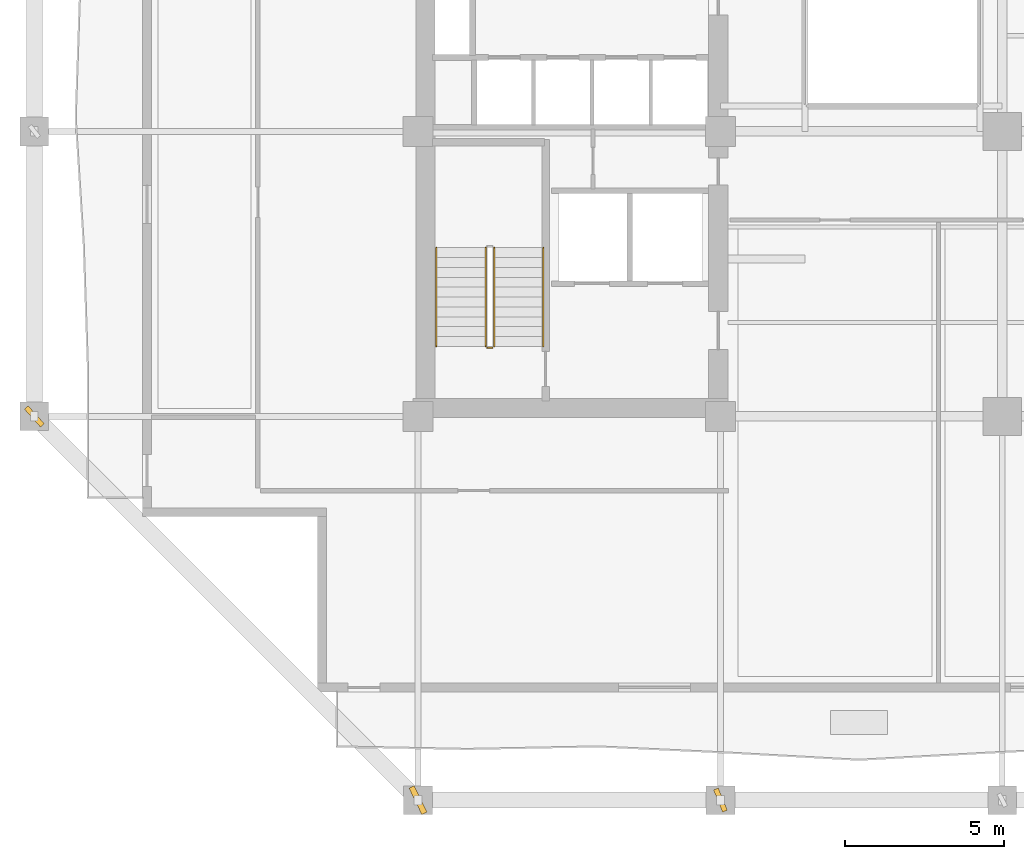
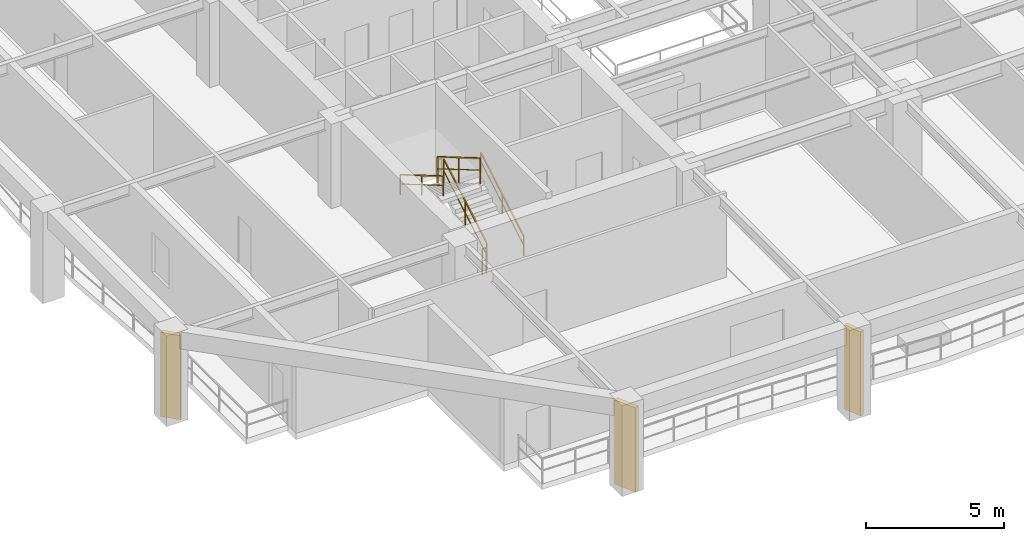
# One storey, part 6 of 12: 5 railings, 3 shading devices.
"""IFC4 building model written with IfcOpenShell, lengths in metres."""

from ifc_helpers import new_model, si_unit, direction, frame, origin, origin_2d, place, context, subcontext, project, spatial, rectangle, extrude, material, type_object, element, save


model = new_model("IFC4")

# Units and contexts
model_context = context("Model", 3, precision=1e-05, world=origin(), true_north=direction((0.0, 1.0)))
body_context = subcontext(model_context, "Body", "Model", "MODEL_VIEW")
ifc_project = project(units=[si_unit("LENGTHUNIT", "METRE"), si_unit("AREAUNIT", "SQUARE_METRE"), si_unit("VOLUMEUNIT", "CUBIC_METRE"), si_unit("PLANEANGLEUNIT", "RADIAN"), si_unit("MASSUNIT", "GRAM", prefix="KILO")], contexts=[model_context])

# Site, building, storey
site_placement = place(None, origin())
site = spatial("IfcSite", under=ifc_project, at=site_placement, CompositionType="ELEMENT")
building_placement = place(site_placement, origin())
building = spatial("IfcBuilding", under=site, at=building_placement, Name="Kundavana Baori Tower", CompositionType="ELEMENT")
storey_placement = place(building_placement, frame((0.0, 0.0, 38.0)))
storey = spatial("IfcBuildingStorey", under=building, at=storey_placement, Name="L08", CompositionType="ELEMENT", Elevation=38.0)

# Railings
ifc_material_1 = material(Name="Architectural Patinated Bronze Metalwork")
railing_type_1 = type_object("IfcRailingType", Name="RL-GRD-1150", PredefinedType="GUARDRAIL", material=ifc_material_1)
railing_1_placement = place(storey_placement, frame((17.840087890625, 17.449951171875, 0.181884765625)))
element("IfcRailing", 1, at=railing_1_placement, inside=storey, type_object=railing_type_1, Name="L08 ST1 stair guard 1", PredefinedType="GUARDRAIL", context=body_context, shape_type="SweptSolid", body=[
    extrude(rectangle(XDim=0.048095703125, YDim=0.048095703125, at=origin_2d()), frame((0.0, 0.0, 1.1259765625), z_axis=(0.0, 0.862598821094, 0.505888598258), x_axis=(-1.0, 0.0, 0.0)), (0.0, 0.0, 1.0), 3.593994140625),
    extrude(rectangle(XDim=0.03125, YDim=0.03125, at=origin_2d()), frame((0.0, 0.0, 0.597900390625), z_axis=(0.0, 0.862598821094, 0.505888598258), x_axis=(-1.0, 0.0, 0.0)), (0.0, 0.0, 1.0), 3.593994140625),
    extrude(rectangle(XDim=0.0419921875, YDim=0.0419921875, at=origin_2d()), origin(), (0.0, 0.0, 1.0), 1.101806640625),
    extrude(rectangle(XDim=0.0419921875, YDim=0.0419921875, at=origin_2d()), frame((0.0, 1.550048828125, 0.9091796875)), (0.0, 0.0, 1.0), 1.101806640625),
    extrude(rectangle(XDim=0.0419921875, YDim=0.0419921875, at=origin_2d()), frame((0.0, 3.10009765625, 1.818115234375)), (0.0, 0.0, 1.0), 1.101806640625),
])
railing_2_placement = place(storey_placement, frame((17.580078125, 20.550048828125, 2.181884765625)))
element("IfcRailing", 2, at=railing_2_placement, inside=storey, type_object=railing_type_1, Name="L08 ST1 stair guard 3", PredefinedType="GUARDRAIL", context=body_context, shape_type="SweptSolid", body=[
    extrude(rectangle(XDim=0.048095703125, YDim=0.048095703125, at=origin_2d()), frame((0.0, 0.0, 1.1259765625), z_axis=(0.0, -0.862598821094, 0.505888598258), x_axis=(1.0, 0.0, 0.0)), (0.0, 0.0, 1.0), 3.593994140625),
    extrude(rectangle(XDim=0.03125, YDim=0.03125, at=origin_2d()), frame((0.0, 0.0, 0.597900390625), z_axis=(0.0, -0.862598821094, 0.505888598258), x_axis=(1.0, 0.0, 0.0)), (0.0, 0.0, 1.0), 3.593994140625),
    extrude(rectangle(XDim=0.0419921875, YDim=0.0419921875, at=origin_2d()), origin(), (0.0, 0.0, 1.0), 1.101806640625),
    extrude(rectangle(XDim=0.0419921875, YDim=0.0419921875, at=origin_2d()), frame((0.0, -1.550048828125, 0.9091796875)), (0.0, 0.0, 1.0), 1.101806640625),
    extrude(rectangle(XDim=0.0419921875, YDim=0.0419921875, at=origin_2d()), frame((0.0, -3.10009765625, 1.818115234375)), (0.0, 0.0, 1.0), 1.101806640625),
])
railing_3_placement = place(storey_placement, frame((17.7900390625, 17.39990234375, 0.0)))
element("IfcRailing", 3, at=railing_3_placement, inside=storey, type_object=railing_type_1, Name="L08 ST1 stair guard 4", PredefinedType="GUARDRAIL", context=body_context, shape_type="SweptSolid", body=[
    extrude(rectangle(XDim=0.048095703125, YDim=0.048095703125, at=origin_2d()), frame((0.0, 0.0, 1.1259765625), z_axis=(-1.0, 0.0, 0.0), x_axis=(0.0, -1.0, 0.0)), (0.0, 0.0, 1.0), 0.16015625),
    extrude(rectangle(XDim=0.03125, YDim=0.03125, at=origin_2d()), frame((0.0, 0.0, 0.597900390625), z_axis=(-1.0, 0.0, 0.0), x_axis=(0.0, -1.0, 0.0)), (0.0, 0.0, 1.0), 0.16015625),
    extrude(rectangle(XDim=0.0419921875, YDim=0.0419921875, at=origin_2d()), origin(), (0.0, 0.0, 1.0), 1.101806640625),
    extrude(rectangle(XDim=0.0419921875, YDim=0.0419921875, at=origin_2d()), frame((-0.16015625, 0.0, 0.0)), (0.0, 0.0, 1.0), 1.101806640625),
])
ifc_material_2 = material(Name="Architectural Patinated Bronze Metalwork")
railing_type_2 = type_object("IfcRailingType", Name="RL-HND-920", PredefinedType="HANDRAIL", material=ifc_material_2)
railing_4_placement = place(storey_placement, frame((19.389892578125, 17.449951171875, 0.181884765625)))
element("IfcRailing", 4, at=railing_4_placement, inside=storey, type_object=railing_type_2, Name="L08 ST1 stair handrail 1", PredefinedType="HANDRAIL", context=body_context, shape_type="SweptSolid", body=[
    extrude(rectangle(XDim=0.048095703125, YDim=0.048095703125, at=origin_2d()), frame((0.0, 0.0, 0.8759765625), z_axis=(0.0, 0.862598821094, 0.505888598258), x_axis=(-1.0, 0.0, 0.0)), (0.0, 0.0, 1.0), 3.593994140625),
    extrude(rectangle(XDim=0.03125, YDim=0.03125, at=origin_2d()), frame((0.0, 0.0, 0.468017578125), z_axis=(0.0, 0.862598821094, 0.505888598258), x_axis=(-1.0, 0.0, 0.0)), (0.0, 0.0, 1.0), 3.593994140625),
    extrude(rectangle(XDim=0.0419921875, YDim=0.0419921875, at=origin_2d()), origin(), (0.0, 0.0, 1.0), 0.851806640625),
    extrude(rectangle(XDim=0.0419921875, YDim=0.0419921875, at=origin_2d()), frame((0.0, 1.550048828125, 0.9091796875)), (0.0, 0.0, 1.0), 0.851806640625),
    extrude(rectangle(XDim=0.0419921875, YDim=0.0419921875, at=origin_2d()), frame((0.0, 3.10009765625, 1.818115234375)), (0.0, 0.0, 1.0), 0.851806640625),
])
railing_5_placement = place(storey_placement, frame((16.030029296875, 20.550048828125, 2.181884765625)))
element("IfcRailing", 5, at=railing_5_placement, inside=storey, type_object=railing_type_2, Name="L08 ST1 stair handrail 2", PredefinedType="HANDRAIL", context=body_context, shape_type="SweptSolid", body=[
    extrude(rectangle(XDim=0.048095703125, YDim=0.048095703125, at=origin_2d()), frame((0.0, 0.0, 0.8759765625), z_axis=(0.0, -0.862598821094, 0.505888598258), x_axis=(1.0, 0.0, 0.0)), (0.0, 0.0, 1.0), 3.593994140625),
    extrude(rectangle(XDim=0.03125, YDim=0.03125, at=origin_2d()), frame((0.0, 0.0, 0.468017578125), z_axis=(0.0, -0.862598821094, 0.505888598258), x_axis=(1.0, 0.0, 0.0)), (0.0, 0.0, 1.0), 3.593994140625),
    extrude(rectangle(XDim=0.0419921875, YDim=0.0419921875, at=origin_2d()), origin(), (0.0, 0.0, 1.0), 0.851806640625),
    extrude(rectangle(XDim=0.0419921875, YDim=0.0419921875, at=origin_2d()), frame((0.0, -1.550048828125, 0.9091796875)), (0.0, 0.0, 1.0), 0.851806640625),
    extrude(rectangle(XDim=0.0419921875, YDim=0.0419921875, at=origin_2d()), frame((0.0, -3.10009765625, 1.818115234375)), (0.0, 0.0, 1.0), 0.851806640625),
])

# Shading devices
ifc_material_3 = material(Name="Red-Buff Dholpur Sandstone Cladding on Concrete C40/50", Category="masonry")
shading_device_type_1 = type_object("IfcShadingDeviceType", Name="SHD-FIN-750", PredefinedType="JALOUSIE", material=ifc_material_3)
for number, where, z_axis, x_axis, name in (
    (6, (24.949951171875, 3.199951171875, 0.0), (0.0, 0.0, 1.0), (0.926922103901, 0.375253798515, 0.0), "L08 Sweeping Dholpur Sandstone Facade Fin 2"),
    (7, (3.39990234375, 15.25, 0.0), (0.0, 0.0, 1.0), (0.74326159948, 0.669000892928, 0.0), "L08 Sweeping Dholpur Sandstone Facade Fin 5"),
):
    element("IfcShadingDevice", number, at=place(storey_placement, frame(where, z_axis=z_axis, x_axis=x_axis)), inside=storey, type_object=shading_device_type_1, Name=name, PredefinedType="JALOUSIE", context=body_context, shape_type="SweptSolid", body=[
        extrude(rectangle(XDim=0.159912109375, YDim=0.75, at=origin_2d()), origin(), (0.0, 0.0, 1.0), 3.719970703125),
    ])
ifc_material_4 = material(Name="Red-Buff Dholpur Sandstone Cladding on Concrete C40/50", Category="masonry")
shading_device_type_2 = type_object("IfcShadingDeviceType", Name="SHD-FIN-920", PredefinedType="JALOUSIE", material=ifc_material_4)
shading_device_placement = place(storey_placement, frame((15.449951171875, 3.199951171875, 0.0), z_axis=(0.0, 0.0, 1.0), x_axis=(0.899710196736, 0.436487756861, 0.0)))
element("IfcShadingDevice", 8, at=shading_device_placement, inside=storey, type_object=shading_device_type_2, Name="L08 Sweeping Dholpur Sandstone Facade Fin 1", PredefinedType="JALOUSIE", context=body_context, shape_type="SweptSolid", body=[
    extrude(rectangle(XDim=0.179931640625, YDim=0.919921875, at=origin_2d()), origin(), (0.0, 0.0, 1.0), 3.719970703125),
])

save(model, "model.ifc")
